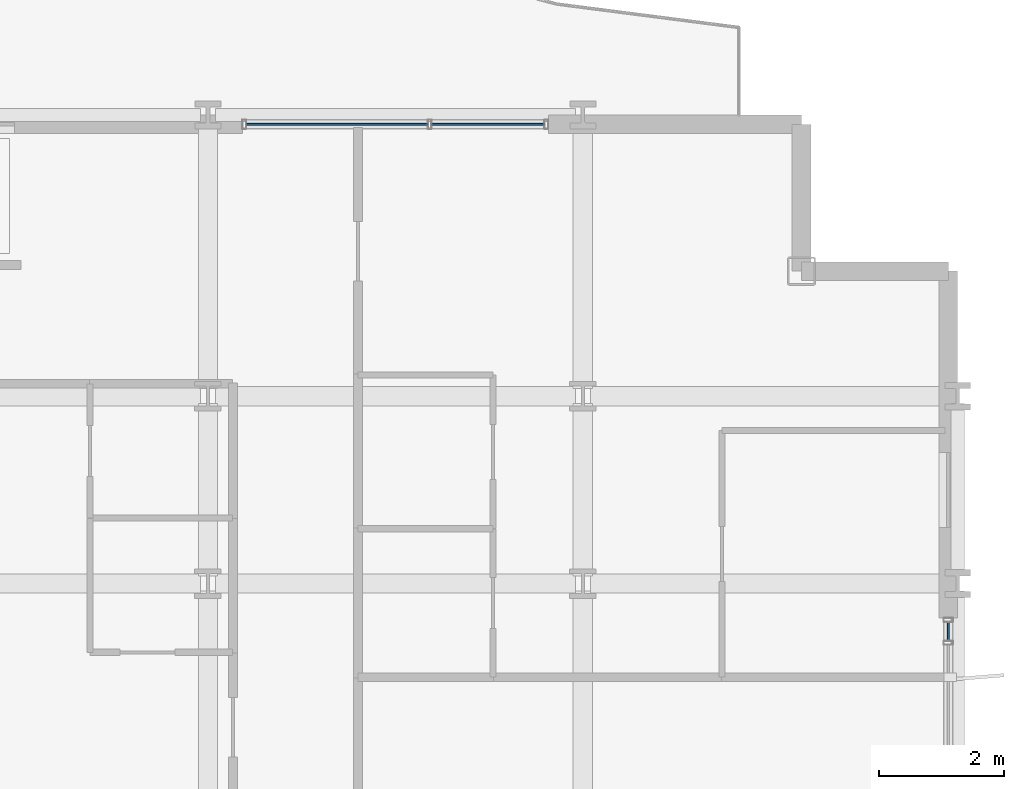
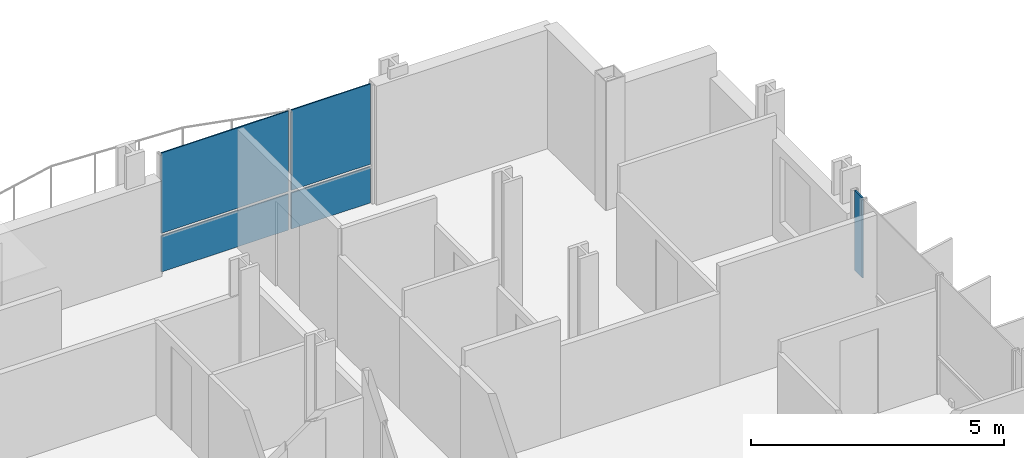
# One storey, part 24 of 38: 5 plates, 2 elements without a shape of their own.
"""IFC4 building model written with IfcOpenShell, lengths in metres."""

from ifc_helpers import new_model, si_unit, direction, frame, origin, origin_2d, place, context, subcontext, project, spatial, rectangle, extrude, material, layer, layer_set, type_object, element, aggregate, save


model = new_model("IFC4")

# Units and contexts
model_context = context("Model", 3, precision=1e-05, world=origin(), true_north=direction((0.0, 1.0)))
body_context = subcontext(model_context, "Body", "Model", "MODEL_VIEW")
ifc_project = project(units=[si_unit("LENGTHUNIT", "METRE"), si_unit("AREAUNIT", "SQUARE_METRE"), si_unit("VOLUMEUNIT", "CUBIC_METRE"), si_unit("PLANEANGLEUNIT", "RADIAN"), si_unit("MASSUNIT", "GRAM", prefix="KILO")], contexts=[model_context])

# Site, building, storey
site_placement = place(None, origin())
site = spatial("IfcSite", under=ifc_project, at=site_placement, CompositionType="ELEMENT")
building_placement = place(site_placement, origin())
building = spatial("IfcBuilding", under=site, at=building_placement, Name="Brevholm Reach", CompositionType="ELEMENT")
storey_placement = place(building_placement, frame((0.0, 0.0, 59.0)))
storey = spatial("IfcBuildingStorey", under=building, at=storey_placement, Name="L16", CompositionType="ELEMENT", Elevation=59.0)

# Curtain wall, plate
ifc_material_1 = material(Name="Dark Anodised Aluminium 6063-T6 and Solar-Control Glass", Category="aluminium")
ifc_layer_1 = layer(ifc_material_1, 0.14990234375)
ifc_layer_set_1 = layer_set([ifc_layer_1], Name="Dark Anodised Aluminium 6063-T6 and Solar-Control Glass")
curtain_wall_type = type_object("IfcCurtainWallType", Name="CW-01", PredefinedType="NOTDEFINED", material=ifc_layer_set_1)
curtain_wall_1_placement = place(storey_placement, origin())
curtain_wall_1 = element("IfcCurtainWall", 1, at=curtain_wall_1_placement, inside=storey, type_object=curtain_wall_type, Name="L16 Curtain Wall CW-01", PredefinedType="NOTDEFINED")
ifc_material_2 = material(Name="Dark Solar-Control Double-Glazed IGU Glass", Category="glass")
ifc_layer_2 = layer(ifc_material_2, 0.028076171875)
ifc_layer_set_2 = layer_set([ifc_layer_2], Name="Dark Solar-Control Double-Glazed IGU Glass")
plate_type = type_object("IfcPlateType", Name="CWP-GLZ-28", PredefinedType="CURTAIN_PANEL", material=ifc_layer_set_2)
plate_1_placement = place(storey_placement, frame((59.85009765625, 22.733642578125, 0.9326171875), z_axis=(0.0, 0.0, 1.0), x_axis=(0.0, 1.0, 0.0)))
plate_1 = element("IfcPlate", 2, at=plate_1_placement, type_object=plate_type, Name="CP-01 Glazing Panel 5.2", PredefinedType="CURTAIN_PANEL", context=body_context, shape_type="SweptSolid", body=[
    extrude(rectangle(XDim=0.302490234375, YDim=0.028076171875, at=origin_2d()), origin(), (0.0, 0.0, 1.0), 1.9375),
])
aggregate(curtain_wall_1, [plate_1])

# Curtain wall, plates
curtain_wall_2_placement = place(storey_placement, origin())
curtain_wall_2 = element("IfcCurtainWall", 3, at=curtain_wall_2_placement, inside=storey, type_object=curtain_wall_type, Name="L16 Curtain Wall CW-01", PredefinedType="NOTDEFINED")
plate_2_placement = place(storey_placement, frame((50.066162109375, 30.85009765625, 0.0), z_axis=(0.0, 0.0, 1.0), x_axis=(1.0, 0.0, 0.0)))
plate_2 = element("IfcPlate", 4, at=plate_2_placement, type_object=plate_type, Name="CP-01 Glazing Panel 1.1", PredefinedType="CURTAIN_PANEL", context=body_context, shape_type="SweptSolid", body=[
    extrude(rectangle(XDim=2.902587890625, YDim=0.028076171875, at=origin_2d()), origin(), (0.0, 0.0, 1.0), 0.867431640625),
])
plate_3_placement = place(storey_placement, frame((50.066162109375, 30.85009765625, 0.9326171875), z_axis=(0.0, 0.0, 1.0), x_axis=(1.0, 0.0, 0.0)))
plate_3 = element("IfcPlate", 5, at=plate_3_placement, type_object=plate_type, Name="CP-01 Glazing Panel 1.2", PredefinedType="CURTAIN_PANEL", context=body_context, shape_type="SweptSolid", body=[
    extrude(rectangle(XDim=2.902587890625, YDim=0.028076171875, at=origin_2d()), origin(), (0.0, 0.0, 1.0), 1.9375),
])
plate_4_placement = place(storey_placement, frame((52.483642578125, 30.85009765625, 0.0), z_axis=(0.0, 0.0, 1.0), x_axis=(1.0, 0.0, 0.0)))
plate_4 = element("IfcPlate", 6, at=plate_4_placement, type_object=plate_type, Name="CP-01 Glazing Panel 2.1", PredefinedType="CURTAIN_PANEL", context=body_context, shape_type="SweptSolid", body=[
    extrude(rectangle(XDim=1.802490234375, YDim=0.028076171875, at=origin_2d()), origin(), (0.0, 0.0, 1.0), 0.867431640625),
])
plate_5_placement = place(storey_placement, frame((52.483642578125, 30.85009765625, 0.9326171875), z_axis=(0.0, 0.0, 1.0), x_axis=(1.0, 0.0, 0.0)))
plate_5 = element("IfcPlate", 7, at=plate_5_placement, type_object=plate_type, Name="CP-01 Glazing Panel 2.2", PredefinedType="CURTAIN_PANEL", context=body_context, shape_type="SweptSolid", body=[
    extrude(rectangle(XDim=1.802490234375, YDim=0.028076171875, at=origin_2d()), origin(), (0.0, 0.0, 1.0), 1.9375),
])
aggregate(curtain_wall_2, [plate_2, plate_3, plate_4, plate_5])

save(model, "model.ifc")
